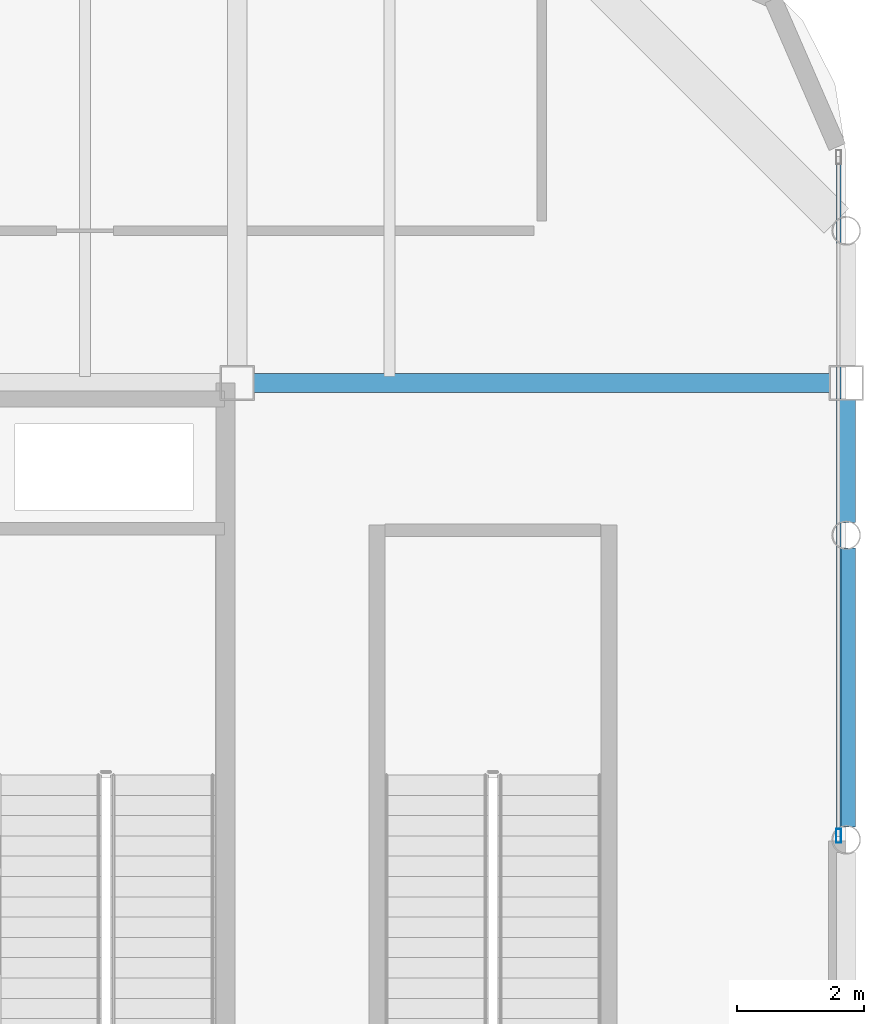
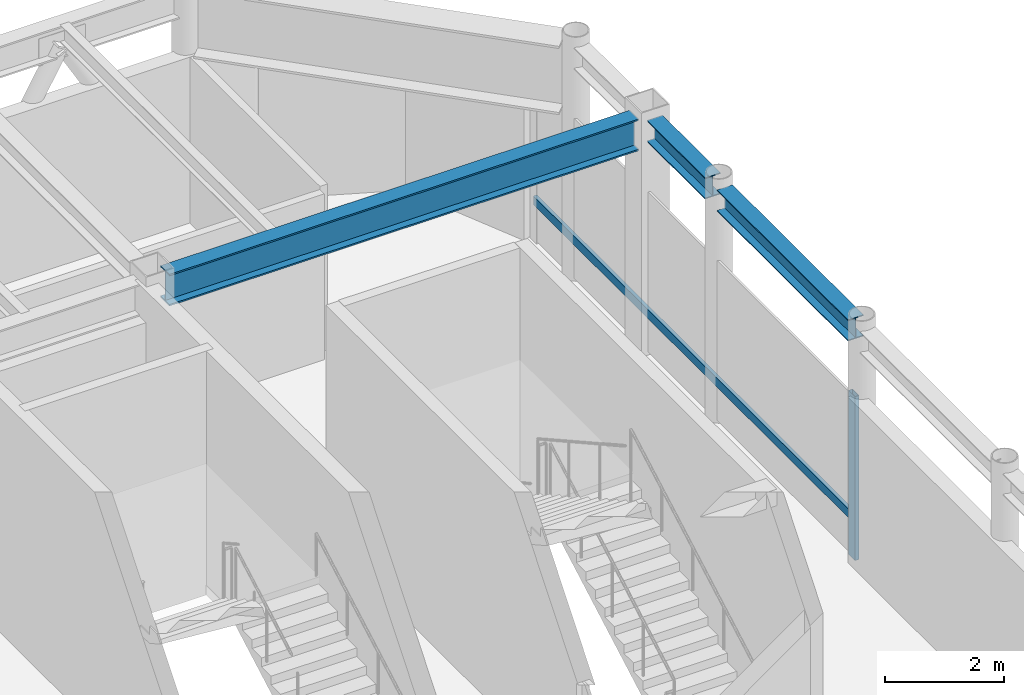
# One storey, part 11 of 21: 3 beams, 2 members, 1 element without a shape of its own.
"""IFC4 building model written with IfcOpenShell, lengths in metres."""

from ifc_helpers import new_model, si_unit, direction, frame, origin, origin_2d, place, context, subcontext, project, spatial, hollow_rectangle, i_section, extrude, material, layer, layer_set, material_profile, profile_set, type_object, element, aggregate, save


model = new_model("IFC4")

# Units and contexts
model_context = context("Model", 3, precision=1e-05, world=origin(), true_north=direction((0.0, 1.0)))
body_context = subcontext(model_context, "Body", "Model", "MODEL_VIEW")
ifc_project = project(units=[si_unit("LENGTHUNIT", "METRE"), si_unit("AREAUNIT", "SQUARE_METRE"), si_unit("VOLUMEUNIT", "CUBIC_METRE"), si_unit("PLANEANGLEUNIT", "RADIAN"), si_unit("MASSUNIT", "GRAM", prefix="KILO")], contexts=[model_context])

# Site, building, storey
site_placement = place(None, origin())
site = spatial("IfcSite", under=ifc_project, at=site_placement, CompositionType="ELEMENT")
building_placement = place(site_placement, origin())
building = spatial("IfcBuilding", under=site, at=building_placement, Name="Kallvorn Hotel Tower", CompositionType="ELEMENT")
storey_placement = place(building_placement, frame((0.0, 0.0, 295.60009765625)))
storey = spatial("IfcBuildingStorey", under=building, at=storey_placement, Name="L73", CompositionType="ELEMENT", Elevation=295.60009765625)

# Beams
ifc_material_1 = material(Name="Structural steel S355JR", Category="steel")
ifc_material_profile_1 = material_profile(ifc_material_1, i_section(OverallWidth=0.300048828125, OverallDepth=0.43994140625, WebThickness=0.011474609375, FlangeThickness=0.02099609375, at=origin_2d()), Name="HE 450 A")
ifc_profile_set_1 = profile_set([ifc_material_profile_1], Name="Structural steel S355JR")
beam_type_1 = type_object("IfcBeamType", Name="BM_HE450A", PredefinedType="BEAM", material=ifc_profile_set_1)
beam_1_placement = place(storey_placement, frame((24.0, 0.20361328125, 4.579833984375), z_axis=(0.0, 1.0, 0.0), x_axis=(-1.0, 0.0, 0.0)))
element("IfcBeam", 1, at=beam_1_placement, inside=storey, type_object=beam_type_1, Name="L74 Primary Y-Girder 51", PredefinedType="BEAM", context=body_context, shape_type="SweptSolid", body=[
    extrude(i_section(OverallWidth=0.300048828125, OverallDepth=0.43994140625, WebThickness=0.011474609375, FlangeThickness=0.02099609375, at=origin_2d()), origin(), (0.0, 0.0, 1.0), 4.392822265625),
])
beam_2_placement = place(storey_placement, frame((24.0, 5.00341796875, 4.579833984375), z_axis=(0.0, 1.0, 0.0), x_axis=(-1.0, 0.0, 0.0)))
element("IfcBeam", 2, at=beam_2_placement, inside=storey, type_object=beam_type_1, Name="L74 Primary Y-Girder 52", PredefinedType="BEAM", context=body_context, shape_type="SweptSolid", body=[
    extrude(i_section(OverallWidth=0.300048828125, OverallDepth=0.43994140625, WebThickness=0.011474609375, FlangeThickness=0.02099609375, at=origin_2d()), origin(), (0.0, 0.0, 1.0), 1.946533203125),
])
ifc_material_2 = material(Name="Structural steel S355JR", Category="steel")
ifc_material_profile_2 = material_profile(ifc_material_2, i_section(OverallWidth=0.300048828125, OverallDepth=0.64990234375, WebThickness=0.01611328125, FlangeThickness=0.031005859375, at=origin_2d()), Name="HE 650 B")
ifc_profile_set_2 = profile_set([ifc_material_profile_2], Name="Structural steel S355JR")
beam_type_2 = type_object("IfcBeamType", Name="BM_HE650B", PredefinedType="BEAM", material=ifc_profile_set_2)
beam_3_placement = place(storey_placement, frame((14.64990234375, 7.199951171875, 4.474853515625), z_axis=(1.0, 0.0, 0.0), x_axis=(0.0, 1.0, 0.0)))
element("IfcBeam", 3, at=beam_3_placement, inside=storey, type_object=beam_type_2, Name="L74 Primary X-Girder 15", PredefinedType="BEAM", context=body_context, shape_type="SweptSolid", body=[
    extrude(i_section(OverallWidth=0.300048828125, OverallDepth=0.64990234375, WebThickness=0.01611328125, FlangeThickness=0.031005859375, at=origin_2d()), origin(), (0.0, 0.0, 1.0), 9.10009765625),
])

# Curtain wall, members
ifc_material_3 = material(Name="Thermally broken black-anodised aluminium AA 6063-T6", Category="aluminium")
ifc_layer = layer(ifc_material_3, 0.25)
ifc_layer_set = layer_set([ifc_layer], Name="CW_SYS_6_SUMMIT_OBS")
curtain_wall_type = type_object("IfcCurtainWallType", Name="CW_SYS_6_SUMMIT_OBS", PredefinedType="USERDEFINED", material=ifc_layer_set)
curtain_wall_placement = place(storey_placement, origin())
curtain_wall = element("IfcCurtainWall", 4, at=curtain_wall_placement, inside=storey, type_object=curtain_wall_type, Name="L73 Dark-Glass Curtain Wall CW-L73-EN", ObjectType="UNITISED CURTAIN WALL", PredefinedType="USERDEFINED")
ifc_material_4 = material(Name="Thermally broken black-anodised aluminium AA 6063-T6", Category="aluminium")
ifc_material_profile_3 = material_profile(ifc_material_4, hollow_rectangle(XDim=0.080078125, YDim=0.219970703125, WallThickness=0.0048828125, at=origin_2d()), Name="MUL 220x80")
ifc_profile_set_3 = profile_set([ifc_material_profile_3], Name="Thermally broken black-anodised aluminium AA 6063-T6")
member_type_1 = type_object("IfcMemberType", Name="CW_MULLION_220x80", PredefinedType="MULLION", material=ifc_profile_set_3)
member_1_placement = place(storey_placement, frame((23.8798828125, 0.06005859375, 0.02001953125), z_axis=(0.0, 0.0, 1.0), x_axis=(1.0, 0.0, 0.0)))
member_1 = element("IfcMember", 5, at=member_1_placement, type_object=member_type_1, Name="CW-L73-EN Mullion 00", PredefinedType="MULLION", context=body_context, shape_type="SweptSolid", body=[
    extrude(hollow_rectangle(XDim=0.080078125, YDim=0.219970703125, WallThickness=0.0048828125, at=origin_2d()), origin(), (0.0, 0.0, 1.0), 3.35986328125),
])
ifc_material_5 = material(Name="Thermally broken black-anodised aluminium AA 6063-T6", Category="aluminium")
ifc_material_profile_4 = material_profile(ifc_material_5, hollow_rectangle(XDim=0.070068359375, YDim=0.179931640625, WallThickness=0.00390625, at=origin_2d()), Name="TRN 180x70")
ifc_profile_set_4 = profile_set([ifc_material_profile_4], Name="Thermally broken black-anodised aluminium AA 6063-T6")
member_type_2 = type_object("IfcMemberType", Name="CW_TRANSOM_180x70", PredefinedType="USERDEFINED", material=ifc_profile_set_4)
member_2_placement = place(storey_placement, frame((23.8798828125, 0.06005859375, 0.849853515625), z_axis=(0.0, 1.0, 0.0), x_axis=(-1.0, 0.0, 0.0)))
member_2 = element("IfcMember", 6, at=member_2_placement, type_object=member_type_2, Name="CW-L73-EN Transom 00M", ObjectType="TRANSOM", PredefinedType="USERDEFINED", context=body_context, shape_type="SweptSolid", body=[
    extrude(hollow_rectangle(XDim=0.070068359375, YDim=0.179931640625, WallThickness=0.00390625, at=origin_2d()), origin(), (0.0, 0.0, 1.0), 10.699951171875),
])
aggregate(curtain_wall, [member_1, member_2])

save(model, "model.ifc")
